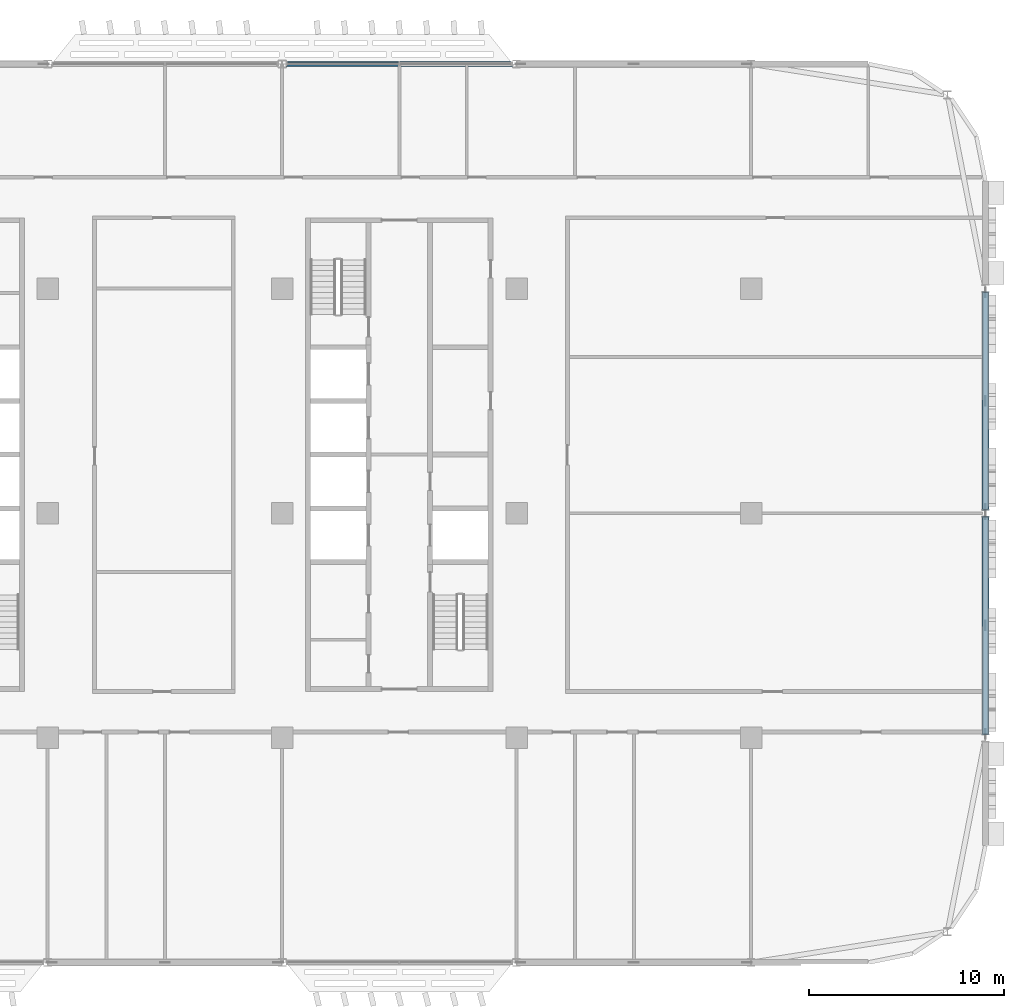
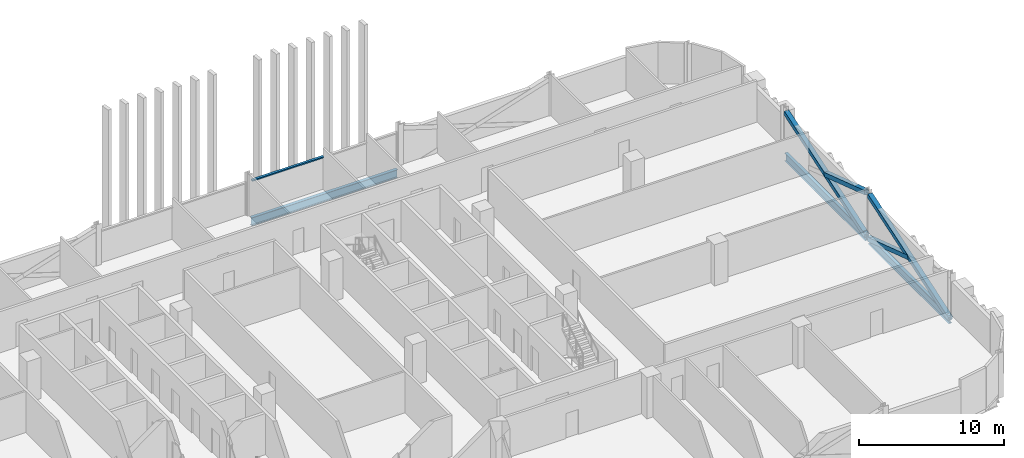
# One storey, part 10 of 30: 5 members, 3 beams, 1 element without a shape of its own.
"""IFC4 building model written with IfcOpenShell, lengths in metres."""

from ifc_helpers import new_model, si_unit, direction, frame, origin, origin_2d, place, context, subcontext, project, spatial, rectangle, hollow_rectangle, i_section, extrude, material, material_profile, profile_set, type_object, element, aggregate, save


model = new_model("IFC4")

# Units and contexts
model_context = context("Model", 3, precision=1e-05, world=origin(), true_north=direction((0.0, 1.0)))
body_context = subcontext(model_context, "Body", "Model", "MODEL_VIEW")
ifc_project = project(units=[si_unit("LENGTHUNIT", "METRE"), si_unit("AREAUNIT", "SQUARE_METRE"), si_unit("VOLUMEUNIT", "CUBIC_METRE"), si_unit("PLANEANGLEUNIT", "RADIAN"), si_unit("MASSUNIT", "GRAM", prefix="KILO")], contexts=[model_context])

# Site, building, storey
site_placement = place(None, origin())
site = spatial("IfcSite", under=ifc_project, at=site_placement, CompositionType="ELEMENT")
building_placement = place(site_placement, origin())
building = spatial("IfcBuilding", under=site, at=building_placement, Name="Mahtab Terrace Research Tower", CompositionType="ELEMENT")
storey_placement = place(building_placement, frame((0.0, 0.0, 209.10009765625)))
storey = spatial("IfcBuildingStorey", under=building, at=storey_placement, Name="L50", CompositionType="ELEMENT", Elevation=209.10009765625)

# Members
ifc_material_1 = material(Name="Steel ASTM A500 Gr C", Category="steel")
ifc_material_profile_1 = material_profile(ifc_material_1, hollow_rectangle(XDim=0.355712890625, YDim=0.355712890625, WallThickness=0.015869140625, at=origin_2d()), Name="HSS14X14X5/8")
ifc_profile_set_1 = profile_set([ifc_material_profile_1], Name="Steel ASTM A500 Gr C")
member_type_1 = type_object("IfcMemberType", Name="HSS 14x14x5/8 brace XB141458", PredefinedType="BRACE", material=ifc_profile_set_1)
member_1_placement = place(storey_placement, frame((54.0, -11.300537109375, -0.61328125), z_axis=(0.0, 0.949504910136, 0.313752172307), x_axis=(-1.0, 0.0, 0.0)))
element("IfcMember", 1, at=member_1_placement, inside=storey, type_object=member_type_1, Name="Exoskeleton brace L50 22 a", PredefinedType="BRACE", context=body_context, shape_type="SweptSolid", body=[
    extrude(hollow_rectangle(XDim=0.355712890625, YDim=0.355712890625, WallThickness=0.015869140625, at=origin_2d()), origin(), (0.0, 0.0, 1.0), 11.69140625),
])
member_2_placement = place(storey_placement, frame((54.0, -0.199462890625, -0.61328125), z_axis=(0.0, -0.949511130933, 0.313733345748), x_axis=(1.0, 0.0, 0.0)))
element("IfcMember", 2, at=member_2_placement, inside=storey, type_object=member_type_1, Name="Exoskeleton brace L50 22 b1", PredefinedType="BRACE", context=body_context, shape_type="SweptSolid", body=[
    extrude(hollow_rectangle(XDim=0.355712890625, YDim=0.355712890625, WallThickness=0.015869140625, at=origin_2d()), origin(), (0.0, 0.0, 1.0), 5.845703125),
])
member_3_placement = place(storey_placement, frame((54.0, 0.199462890625, -0.61328125), z_axis=(0.0, 0.949504910136, 0.313752172307), x_axis=(-1.0, 0.0, 0.0)))
element("IfcMember", 3, at=member_3_placement, inside=storey, type_object=member_type_1, Name="Exoskeleton brace L50 23 a", PredefinedType="BRACE", context=body_context, shape_type="SweptSolid", body=[
    extrude(hollow_rectangle(XDim=0.355712890625, YDim=0.355712890625, WallThickness=0.015869140625, at=origin_2d()), origin(), (0.0, 0.0, 1.0), 11.69140625),
])
member_4_placement = place(storey_placement, frame((54.0, 5.75, 1.220703125), z_axis=(0.0, -0.949498689047, 0.313770998496), x_axis=(1.0, 0.0, 0.0)))
element("IfcMember", 4, at=member_4_placement, inside=storey, type_object=member_type_1, Name="Exoskeleton brace L50 23 b2", PredefinedType="BRACE", context=body_context, shape_type="SweptSolid", body=[
    extrude(hollow_rectangle(XDim=0.355712890625, YDim=0.355712890625, WallThickness=0.015869140625, at=origin_2d()), origin(), (0.0, 0.0, 1.0), 5.845703125),
])

# Curtain wall, member
ifc_material_2 = material(Name="Laboratory ribbon curtain wall")
curtain_wall_type = type_object("IfcCurtainWallType", Name="Laboratory ribbon curtain wall", PredefinedType="NOTDEFINED", material=ifc_material_2)
curtain_wall_placement = place(storey_placement, origin())
curtain_wall = element("IfcCurtainWall", 5, at=curtain_wall_placement, inside=storey, type_object=curtain_wall_type, Name="EN.L50.3.5", PredefinedType="NOTDEFINED")
ifc_material_3 = material(Name="Natural anodised aluminium", Category="aluminium")
ifc_material_profile_2 = material_profile(ifc_material_3, rectangle(XDim=0.199951171875, YDim=0.10009765625, at=origin_2d()), Name="TRANSOM 100x200")
ifc_profile_set_2 = profile_set([ifc_material_profile_2], Name="Natural anodised aluminium")
member_type_2 = type_object("IfcMemberType", Name="Laboratory ribbon curtain wall transom", PredefinedType="USERDEFINED", material=ifc_profile_set_2)
member_5_placement = place(storey_placement, frame((23.967529296875, 23.0, 2.731689453125), z_axis=(-1.0, 0.0, 0.0), x_axis=(0.0, -1.0, 0.0)))
member_5 = element("IfcMember", 6, at=member_5_placement, type_object=member_type_2, Name="CWL-6 transom 2", ObjectType="TRANSOM", PredefinedType="USERDEFINED", context=body_context, shape_type="SweptSolid", body=[
    extrude(rectangle(XDim=0.199951171875, YDim=0.10009765625, at=origin_2d()), origin(), (0.0, 0.0, 1.0), 5.70263671875),
])
aggregate(curtain_wall, [member_5])

# Beams
ifc_material_4 = material(Name="Steel ASTM A992 Gr 50", Category="steel")
ifc_material_profile_3 = material_profile(ifc_material_4, i_section(OverallWidth=0.25390625, OverallDepth=0.67822265625, WebThickness=0.01171875, FlangeThickness=0.016357421875, at=origin_2d()), Name="W27X84")
ifc_profile_set_3 = profile_set([ifc_material_profile_3], Name="Steel ASTM A992 Gr 50")
beam_type = type_object("IfcBeamType", Name="W27x84 beam BS2784", PredefinedType="BEAM", material=ifc_profile_set_3)
beam_placement = place(storey_placement, frame((29.79931640625, 23.0, -0.67919921875), z_axis=(-1.0, 0.0, 0.0), x_axis=(0.0, -1.0, 0.0)))
element("IfcBeam", 7, at=beam_placement, inside=storey, type_object=beam_type, Name="Spandrel beam L50 03", PredefinedType="BEAM", context=body_context, shape_type="SweptSolid", body=[
    extrude(i_section(OverallWidth=0.25390625, OverallDepth=0.67822265625, WebThickness=0.01171875, FlangeThickness=0.016357421875, at=origin_2d()), origin(), (0.0, 0.0, 1.0), 11.5986328125),
])
for number, where, z_axis, x_axis, name in (
    (8, (54.0, -11.300537109375, -0.67919921875), (0.0, 1.0, 0.0), (-1.0, 0.0, 0.0), "Spandrel beam L50 22"),
    (9, (54.0, 0.199462890625, -0.67919921875), (0.0, 1.0, 0.0), (-1.0, 0.0, 0.0), "Spandrel beam L50 23"),
):
    element("IfcBeam", number, at=place(storey_placement, frame(where, z_axis=z_axis, x_axis=x_axis)), inside=storey, type_object=beam_type, Name=name, PredefinedType="BEAM", context=body_context, shape_type="SweptSolid", body=[
        extrude(i_section(OverallWidth=0.25390625, OverallDepth=0.67822265625, WebThickness=0.01171875, FlangeThickness=0.016357421875, at=origin_2d()), origin(), (0.0, 0.0, 1.0), 11.10107421875),
    ])

save(model, "model.ifc")
